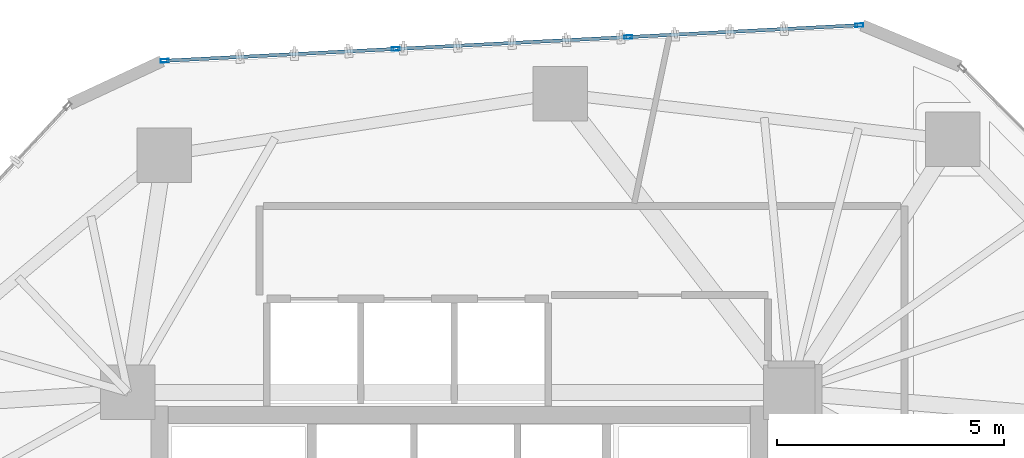
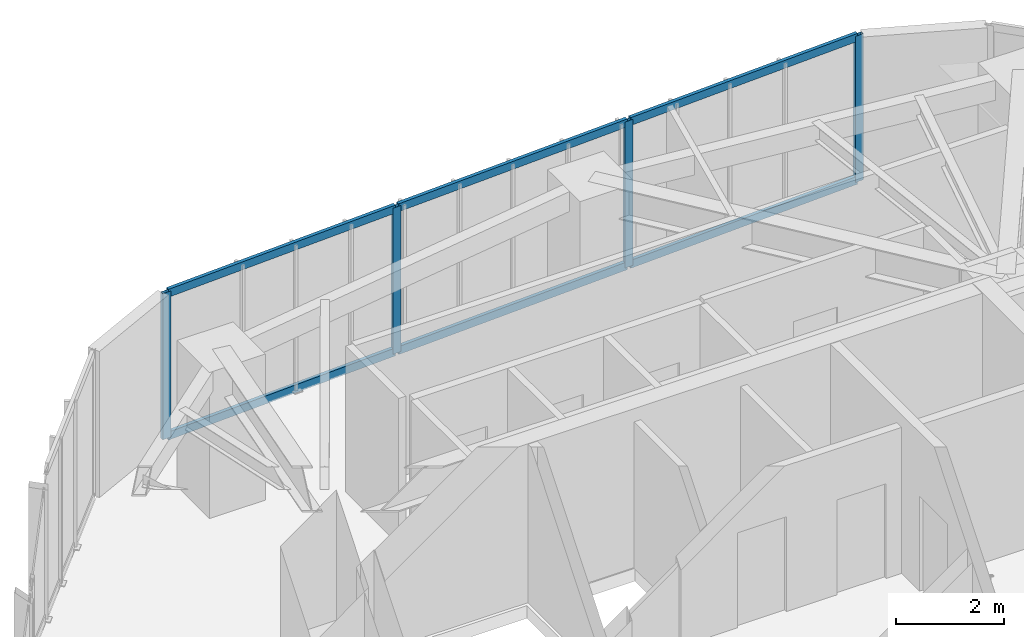
# One storey, part 16 of 23: 10 members, 1 element without a shape of its own.
"""IFC4 building model written with IfcOpenShell, lengths in metres."""

from ifc_helpers import new_model, si_unit, direction, frame, origin, origin_2d, place, context, subcontext, project, spatial, hollow_rectangle, extrude, source, transform, mapped, material, layer, layer_set, material_profile, profile_set, type_object, type_shapes, element, aggregate, save


model = new_model("IFC4")

# Units and contexts
model_context = context("Model", 3, precision=1e-05, world=origin(), true_north=direction((0.0, 1.0)))
body_context = subcontext(model_context, "Body", "Model", "MODEL_VIEW")
ifc_project = project(units=[si_unit("LENGTHUNIT", "METRE"), si_unit("AREAUNIT", "SQUARE_METRE"), si_unit("VOLUMEUNIT", "CUBIC_METRE"), si_unit("PLANEANGLEUNIT", "RADIAN"), si_unit("MASSUNIT", "GRAM", prefix="KILO")], contexts=[model_context])

# Site, building, storey
site_placement = place(None, origin())
site = spatial("IfcSite", under=ifc_project, at=site_placement, CompositionType="ELEMENT")
building_placement = place(site_placement, origin())
building = spatial("IfcBuilding", under=site, at=building_placement, Name="Talar Marvaseh", CompositionType="ELEMENT")
storey_placement = place(building_placement, frame((0.0, 0.0, 100.199951171875)))
storey = spatial("IfcBuildingStorey", under=building, at=storey_placement, Name="L25", CompositionType="ELEMENT", Elevation=100.199951171875)

# Curtain wall, members
ifc_material = material(Name="Architectural Aluminium", Category="aluminium")
ifc_layer = layer(ifc_material, 0.199951171875)
ifc_layer_set = layer_set([ifc_layer], Name="Architectural Aluminium")
curtain_wall_type = type_object("IfcCurtainWallType", Name="Unitised Acoustic Library Curtain Wall Z2", PredefinedType="NOTDEFINED", material=ifc_layer_set)
curtain_wall_placement = place(storey_placement, origin())
curtain_wall = element("IfcCurtainWall", 1, at=curtain_wall_placement, inside=storey, type_object=curtain_wall_type, Name="L25 Unitised Acoustic Library Curtain Wall Z2", PredefinedType="NOTDEFINED")
ifc_material_profile_1 = material_profile(ifc_material, hollow_rectangle(XDim=0.074951171875, YDim=0.179931640625, WallThickness=0.0048828125, at=origin_2d()), Name="RHS180x75x5")
ifc_profile_set_1 = profile_set([ifc_material_profile_1], Name="Architectural Aluminium")
member_type_1 = type_object("IfcMemberType", Name="Unitised Curtain Wall Standard Mullion RHS180x75x5", PredefinedType="MULLION", material=ifc_profile_set_1)
shared_shape_1 = source(origin(), body_context, "Body", "SweptSolid", [
    extrude(hollow_rectangle(XDim=0.074951171875, YDim=0.179931640625, WallThickness=0.0048828125, at=origin_2d()), origin(), (0.0, 0.0, 1.0), 3.31005859375),
])
type_shapes(member_type_1, [shared_shape_1])
member_1_placement = place(storey_placement, frame((19.513427734375, 44.2021484375, 0.0), z_axis=(0.0, 0.0, 1.0), x_axis=(-0.051156093968, 0.998690669852, 0.0)))
member_1 = element("IfcMember", 2, at=member_1_placement, type_object=member_type_1, Name="CW-Z2 mullion 1", PredefinedType="MULLION", context=body_context, shape_type="MappedRepresentation", body=[
    mapped(shared_shape_1, transform((0.0, 0.0, 0.0), x_axis=(1.0, 0.0, 0.0), y_axis=(0.0, 1.0, 0.0), z_axis=(0.0, 0.0, 1.0), scale=1.0)),
])
member_2_placement = place(storey_placement, frame((24.59912109375, 44.462646484375, 0.0), z_axis=(0.0, 0.0, 1.0), x_axis=(-0.051156093968, 0.998690669852, 0.0)))
member_2 = element("IfcMember", 3, at=member_2_placement, type_object=member_type_1, Name="CW-Z2 mullion 2", PredefinedType="MULLION", context=body_context, shape_type="MappedRepresentation", body=[
    mapped(shared_shape_1, transform((0.0, 0.0, 0.0), x_axis=(1.0, 0.0, 0.0), y_axis=(0.0, 1.0, 0.0), z_axis=(0.0, 0.0, 1.0), scale=1.0)),
])
member_3_placement = place(storey_placement, frame((29.72265625, 44.72509765625, 0.0), z_axis=(0.0, 0.0, 1.0), x_axis=(-0.051156093968, 0.998690669852, 0.0)))
member_3 = element("IfcMember", 4, at=member_3_placement, type_object=member_type_1, Name="CW-Z2 mullion 3", PredefinedType="MULLION", context=body_context, shape_type="MappedRepresentation", body=[
    mapped(shared_shape_1, transform((0.0, 0.0, 0.0), x_axis=(1.0, 0.0, 0.0), y_axis=(0.0, 1.0, 0.0), z_axis=(0.0, 0.0, 1.0), scale=1.0)),
])
member_4_placement = place(storey_placement, frame((34.808349609375, 44.985595703125, 0.0), z_axis=(0.0, 0.0, 1.0), x_axis=(-0.051156093968, 0.998690669852, 0.0)))
member_4 = element("IfcMember", 5, at=member_4_placement, type_object=member_type_1, Name="CW-Z2 mullion 4", PredefinedType="MULLION", context=body_context, shape_type="MappedRepresentation", body=[
    mapped(shared_shape_1, transform((0.0, 0.0, 0.0), x_axis=(1.0, 0.0, 0.0), y_axis=(0.0, 1.0, 0.0), z_axis=(0.0, 0.0, 1.0), scale=1.0)),
])
ifc_material_profile_2 = material_profile(ifc_material, hollow_rectangle(XDim=0.074951171875, YDim=0.179931640625, WallThickness=0.0048828125, at=origin_2d()), Name="RHS180x75x5")
ifc_profile_set_2 = profile_set([ifc_material_profile_2], Name="Architectural Aluminium")
member_type_2 = type_object("IfcMemberType", Name="Unitised Curtain Wall Transom RHS180x75x5", PredefinedType="USERDEFINED", material=ifc_profile_set_2)
shared_shape_2 = source(origin(), body_context, "Body", "SweptSolid", [
    extrude(hollow_rectangle(XDim=0.074951171875, YDim=0.179931640625, WallThickness=0.0048828125, at=origin_2d()), origin(), (0.0, 0.0, 1.0), 5.017578125),
])
member_5_placement = place(storey_placement, frame((19.55078125, 44.2041015625, 0.03759765625), z_axis=(0.998691553178, 0.051138846401, 0.0), x_axis=(-0.051138846401, 0.998691553178, 0.0)))
member_5 = element("IfcMember", 6, at=member_5_placement, type_object=member_type_2, Name="CW-Z2 transom 1.1", ObjectType="TRANSOM", PredefinedType="USERDEFINED", context=body_context, shape_type="MappedRepresentation", body=[
    mapped(shared_shape_2, transform((0.0, 0.0, 0.0), x_axis=(1.0, 0.0, 0.0), y_axis=(0.0, 1.0, 0.0), z_axis=(0.0, 0.0, 1.0), scale=1.0)),
])
member_6_placement = place(storey_placement, frame((19.55078125, 44.2041015625, 3.2724609375), z_axis=(0.998691553178, 0.051138846401, 0.0), x_axis=(-0.051138846401, 0.998691553178, 0.0)))
member_6 = element("IfcMember", 7, at=member_6_placement, type_object=member_type_2, Name="CW-Z2 transom 1.2", ObjectType="TRANSOM", PredefinedType="USERDEFINED", context=body_context, shape_type="MappedRepresentation", body=[
    mapped(shared_shape_2, transform((0.0, 0.0, 0.0), x_axis=(1.0, 0.0, 0.0), y_axis=(0.0, 1.0, 0.0), z_axis=(0.0, 0.0, 1.0), scale=1.0)),
])
member_7_placement = place(storey_placement, frame((29.760009765625, 44.72705078125, 0.03759765625), z_axis=(0.998691553178, 0.051138846401, 0.0), x_axis=(-0.051138846401, 0.998691553178, 0.0)))
member_7 = element("IfcMember", 8, at=member_7_placement, type_object=member_type_2, Name="CW-Z2 transom 3.1", ObjectType="TRANSOM", PredefinedType="USERDEFINED", context=body_context, shape_type="MappedRepresentation", body=[
    mapped(shared_shape_2, transform((0.0, 0.0, 0.0), x_axis=(1.0, 0.0, 0.0), y_axis=(0.0, 1.0, 0.0), z_axis=(0.0, 0.0, 1.0), scale=1.0)),
])
member_8_placement = place(storey_placement, frame((29.760009765625, 44.72705078125, 3.2724609375), z_axis=(0.998691553178, 0.051138846401, 0.0), x_axis=(-0.051138846401, 0.998691553178, 0.0)))
member_8 = element("IfcMember", 9, at=member_8_placement, type_object=member_type_2, Name="CW-Z2 transom 3.2", ObjectType="TRANSOM", PredefinedType="USERDEFINED", context=body_context, shape_type="MappedRepresentation", body=[
    mapped(shared_shape_2, transform((0.0, 0.0, 0.0), x_axis=(1.0, 0.0, 0.0), y_axis=(0.0, 1.0, 0.0), z_axis=(0.0, 0.0, 1.0), scale=1.0)),
])
shared_shape_3 = source(origin(), body_context, "Body", "SweptSolid", [
    extrude(hollow_rectangle(XDim=0.074951171875, YDim=0.179931640625, WallThickness=0.0048828125, at=origin_2d()), origin(), (0.0, 0.0, 1.0), 5.054931640625),
])
type_shapes(member_type_2, [shared_shape_2, shared_shape_3])
member_9_placement = place(storey_placement, frame((24.63671875, 44.464599609375, 0.03759765625), z_axis=(0.998691144904, 0.05114681896, 0.0), x_axis=(-0.05114681896, 0.998691144904, 0.0)))
member_9 = element("IfcMember", 10, at=member_9_placement, type_object=member_type_2, Name="CW-Z2 transom 2.1", ObjectType="TRANSOM", PredefinedType="USERDEFINED", context=body_context, shape_type="MappedRepresentation", body=[
    mapped(shared_shape_3, transform((0.0, 0.0, 0.0), x_axis=(1.0, 0.0, 0.0), y_axis=(0.0, 1.0, 0.0), z_axis=(0.0, 0.0, 1.0), scale=1.0)),
])
member_10_placement = place(storey_placement, frame((24.63671875, 44.464599609375, 3.2724609375), z_axis=(0.998691144904, 0.05114681896, 0.0), x_axis=(-0.05114681896, 0.998691144904, 0.0)))
member_10 = element("IfcMember", 11, at=member_10_placement, type_object=member_type_2, Name="CW-Z2 transom 2.2", ObjectType="TRANSOM", PredefinedType="USERDEFINED", context=body_context, shape_type="MappedRepresentation", body=[
    mapped(shared_shape_3, transform((0.0, 0.0, 0.0), x_axis=(1.0, 0.0, 0.0), y_axis=(0.0, 1.0, 0.0), z_axis=(0.0, 0.0, 1.0), scale=1.0)),
])
aggregate(curtain_wall, [member_1, member_2, member_3, member_4, member_5, member_6, member_9, member_10, member_7, member_8])

save(model, "model.ifc")
